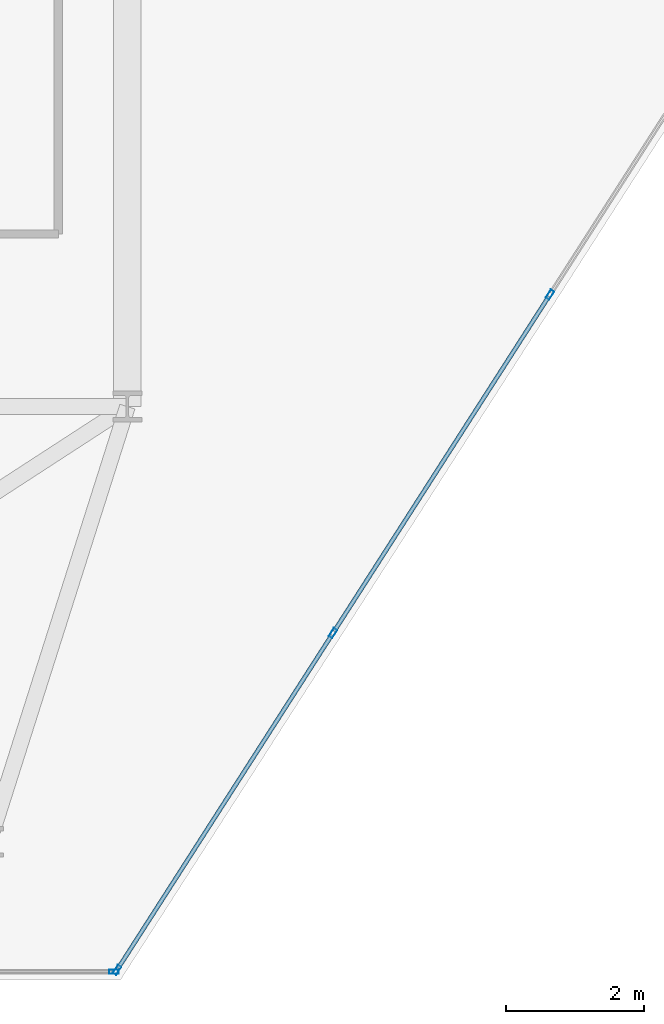
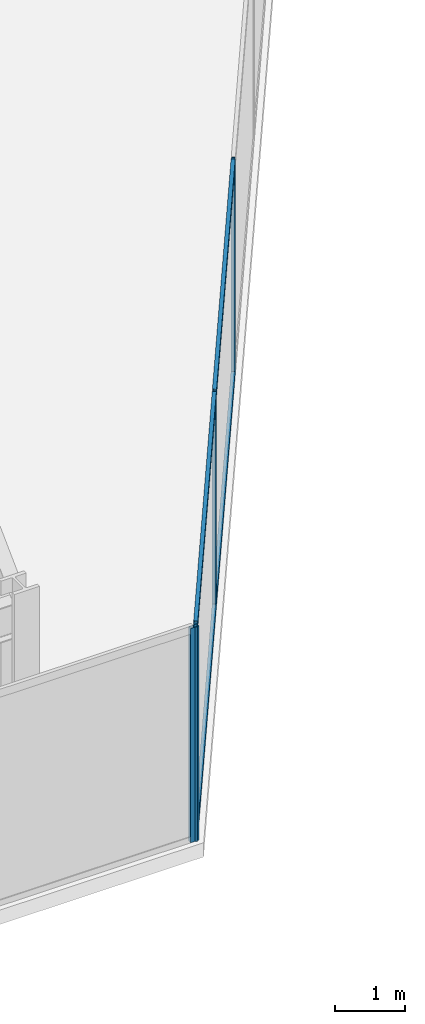
# One storey, part 7 of 26: 8 members, 2 elements without a shape of their own.
"""IFC4 building model written with IfcOpenShell, lengths in metres."""

import ifcopenshell
import ifcopenshell.guid

model = None  # the IFC model being written
_history = None  # IfcOwnerHistory: only IFC2X3 demands one
_inside = {}  # id of a spatial element -> (the spatial element, [elements in it])
_under = {}  # id of a project, library or spatial element -> (it, [spatial elements below it])
_declared = {}  # id of a project -> (the project, [libraries it declares])
_typed = {}  # id of a type object -> (the type object, [elements of that type])
_made_of = {}  # id of a material, layer set ... -> (it, [elements and type objects made of it])


def new_model(schema):
    """Start an empty IFC model of exactly this schema.

    Asked for "IFC4X3", IfcOpenShell would pick the latest addendum, in which some entities
    have other attributes; the version numbers below select the first issue.
    IFC2X3 requires an IfcOwnerHistory on every rooted entity: one is made here for all.
    """
    global model, _history
    if schema == "IFC4X3":
        model = ifcopenshell.file(schema_version=(4, 3, 0, 0))
    else:
        model = ifcopenshell.file(schema=schema)
    _inside.clear()
    _under.clear()
    _declared.clear()
    _typed.clear()
    _made_of.clear()
    _history = None
    if model.schema == "IFC2X3":
        org = make("IfcOrganization", Name="unknown")
        user = make(
            "IfcPersonAndOrganization",
            ThePerson=make("IfcPerson", FamilyName="unknown"),
            TheOrganization=org,
        )
        app = make(
            "IfcApplication",
            ApplicationDeveloper=org,
            Version="unknown",
            ApplicationFullName="unknown",
            ApplicationIdentifier="unknown",
        )
        _history = make(
            "IfcOwnerHistory",
            OwningUser=user,
            OwningApplication=app,
            ChangeAction="ADDED",
            CreationDate=0,
        )
    return model


def make(cls, **values):
    """One entity of the class cls with the attributes given. An attribute that is None is left unset."""
    return model.create_entity(
        cls, **{name: value for name, value in values.items() if value is not None}
    )


def rooted(cls, **values):
    """An entity with a GlobalId (a new one), such as an element, a storey or a relation."""
    return make(cls, GlobalId=ifcopenshell.guid.new(), OwnerHistory=_history, **values)


def si_unit(unit_type, name, prefix=None):
    """IfcSIUnit, for example si_unit("LENGTHUNIT", "METRE", prefix="MILLI")."""
    return make("IfcSIUnit", UnitType=unit_type, Prefix=prefix, Name=name)


def assignment(units):
    """IfcUnitAssignment: the units of a project."""
    return None if units is None else make("IfcUnitAssignment", Units=units)


def point(xyz):
    """IfcCartesianPoint."""
    return None if xyz is None else make("IfcCartesianPoint", Coordinates=xyz)


def direction(xyz):
    """IfcDirection."""
    return None if xyz is None else make("IfcDirection", DirectionRatios=xyz)


def frame(location, z_axis=None, x_axis=None):
    """IfcAxis2Placement3D, a coordinate frame: its origin and axes. An axis left out is left unset."""
    return make(
        "IfcAxis2Placement3D",
        Location=point(location),
        Axis=direction(z_axis),
        RefDirection=direction(x_axis),
    )


def frame_2d(location, x_axis=None):
    """IfcAxis2Placement2D, a coordinate frame in the plane: its origin and x axis."""
    return make(
        "IfcAxis2Placement2D", Location=point(location), RefDirection=direction(x_axis)
    )


def origin():
    """The frame at (0, 0, 0) with its axes left unset."""
    return frame((0.0, 0.0, 0.0))


def origin_2d():
    """The frame at (0, 0) in the plane with its x axis left unset."""
    return frame_2d((0.0, 0.0))


def place(relative_to, where):
    """IfcLocalPlacement: puts the frame where relative to a parent placement (None: the world)."""
    return make(
        "IfcLocalPlacement", PlacementRelTo=relative_to, RelativePlacement=where
    )


def context(
    kind, dimensions, precision=None, world=None, true_north=None, identifier=None
):
    """IfcGeometricRepresentationContext, for example the 3D "Model" context."""
    return make(
        "IfcGeometricRepresentationContext",
        ContextIdentifier=identifier,
        ContextType=kind,
        CoordinateSpaceDimension=dimensions,
        Precision=precision,
        WorldCoordinateSystem=world,
        TrueNorth=true_north,
    )


def subcontext(parent, identifier, kind, view, scale=None):
    """IfcGeometricRepresentationSubContext, for example "Body" below "Model"."""
    return make(
        "IfcGeometricRepresentationSubContext",
        ContextIdentifier=identifier,
        ContextType=kind,
        ParentContext=parent,
        TargetScale=scale,
        TargetView=view,
    )


def project(units=None, contexts=None):
    """IfcProject with its units and contexts."""
    return rooted(
        "IfcProject",
        Name="project",
        RepresentationContexts=contexts,
        UnitsInContext=assignment(units),
    )


def spatial(cls, under=None, at=None, **own):
    """A site, building, storey or space (cls), placed at a placement, below another one or the project."""
    s = rooted(cls, ObjectPlacement=at, **own)
    if under is not None:
        _under.setdefault(under.id(), (under, []))[1].append(s)
    return s


def profile(cls, at=None, kind="AREA", **sizes):
    """A parametric profile (cls). Its sizes go by their IFC names, for example OverallWidth=200.0."""
    return make(cls, ProfileType=kind, Position=at, **sizes)


def hollow_rectangle(**sizes):
    """IfcRectangleHollowProfileDef."""
    return profile("IfcRectangleHollowProfileDef", **sizes)


def extrude(swept, where, along, depth):
    """IfcExtrudedAreaSolid: the profile swept, set in the frame where, extruded along a direction by depth."""
    return make(
        "IfcExtrudedAreaSolid",
        SweptArea=swept,
        Position=where,
        ExtrudedDirection=direction(along),
        Depth=depth,
    )


def shape(context_of_items, identifier, shape_type, items):
    """IfcShapeRepresentation: the items that make up one representation, for example the "Body"."""
    return make(
        "IfcShapeRepresentation",
        ContextOfItems=context_of_items,
        RepresentationIdentifier=identifier,
        RepresentationType=shape_type,
        Items=items,
    )


def material(Name=None, Category=None):
    """IfcMaterial."""
    return make("IfcMaterial", Name=Name, Category=Category)


def layer(
    of_material, thickness, ventilated=None, Name=None, Category=None, Priority=None
):
    """IfcMaterialLayer: one layer of a wall or slab, of a material (None: an air gap)."""
    return make(
        "IfcMaterialLayer",
        Material=of_material,
        LayerThickness=thickness,
        IsVentilated=ventilated,
        Name=Name,
        Category=Category,
        Priority=Priority,
    )


def layer_set(layers, Name=None):
    """IfcMaterialLayerSet."""
    return make("IfcMaterialLayerSet", MaterialLayers=layers, LayerSetName=Name)


def material_profile(
    of_material, cross_section, Name=None, Category=None, Priority=None
):
    """IfcMaterialProfile: a cross section and its material."""
    return make(
        "IfcMaterialProfile",
        Name=Name,
        Material=of_material,
        Profile=cross_section,
        Priority=Priority,
        Category=Category,
    )


def profile_set(profiles, Name=None, composite=None):
    """IfcMaterialProfileSet."""
    return make(
        "IfcMaterialProfileSet",
        Name=Name,
        MaterialProfiles=profiles,
        CompositeProfile=composite,
    )


def made_of(thing, what):
    """Note that an element or type object is made of a material, layer set ...; save() writes the relation."""
    if what is not None:
        _made_of.setdefault(what.id(), (what, []))[1].append(thing)
    return thing


def type_object(cls, material=None, **own):
    """A type object (cls), such as IfcWallType, which elements share."""
    return made_of(rooted(cls, **own), material)


def element(
    cls,
    number,
    at=None,
    inside=None,
    cuts=None,
    type_object=None,
    material=None,
    context=None,
    identifier="Body",
    shape_type=None,
    held_by="IfcProductDefinitionShape",
    body=None,
    shapes=None,
    **own,
):
    """One element of the class cls, such as IfcWall. Its Tag is "e" and its number.

    at: its placement. inside: the storey or other place that contains it. cuts: it is an
    opening in that element (IfcRelVoidsElement). A single representation is given by context,
    identifier, shape_type and body (its items); several are given by shapes. held_by: the class
    of the entity that holds the representations. save() writes the other relations.
    """
    e = rooted(cls, Tag="e%d" % number, ObjectPlacement=at, **own)
    if body is not None:
        shapes = [shape(context, identifier, shape_type, body)]
    if shapes is not None:
        e.Representation = make(held_by, Representations=shapes)
    if inside is not None:
        _inside.setdefault(inside.id(), (inside, []))[1].append(e)
    if cuts is not None:
        rooted(
            "IfcRelVoidsElement", RelatingBuildingElement=cuts, RelatedOpeningElement=e
        )
    if type_object is not None:
        _typed.setdefault(type_object.id(), (type_object, []))[1].append(e)
    return made_of(e, material)


def aggregate(whole, parts):
    """IfcRelAggregates: a whole, such as a stair, and the parts it consists of."""
    return rooted("IfcRelAggregates", RelatingObject=whole, RelatedObjects=parts)


def save(model, path):
    """Write the relations noted so far, then the file.

    IfcRelAggregates (storeys below a building ...), IfcRelContainedInSpatialStructure (elements
    in a storey), IfcRelDefinesByType, IfcRelAssociatesMaterial and IfcRelDeclares: one each for
    every whole, place, type object, material and project.
    """
    for whole, parts in _under.values():
        aggregate(whole, parts)
    for where, things in _inside.values():
        rooted(
            "IfcRelContainedInSpatialStructure",
            RelatedElements=things,
            RelatingStructure=where,
        )
    for kind, things in _typed.values():
        rooted("IfcRelDefinesByType", RelatedObjects=things, RelatingType=kind)
    for what, things in _made_of.values():
        rooted("IfcRelAssociatesMaterial", RelatedObjects=things, RelatingMaterial=what)
    for by, libraries in _declared.values():
        rooted("IfcRelDeclares", RelatingContext=by, RelatedDefinitions=libraries)
    model.write(path)


model = new_model("IFC4")

# Units and contexts
model_context = context("Model", 3, precision=1e-05, world=origin(), true_north=direction((0.0, 1.0)))
body_context = subcontext(model_context, "Body", "Model", "MODEL_VIEW")
ifc_project = project(units=[si_unit("LENGTHUNIT", "METRE"), si_unit("AREAUNIT", "SQUARE_METRE"), si_unit("VOLUMEUNIT", "CUBIC_METRE"), si_unit("PLANEANGLEUNIT", "RADIAN"), si_unit("MASSUNIT", "GRAM", prefix="KILO")], contexts=[model_context])

# Site, building, storey
site_placement = place(None, origin())
site = spatial("IfcSite", under=ifc_project, at=site_placement, CompositionType="ELEMENT")
building_placement = place(site_placement, origin())
building = spatial("IfcBuilding", under=site, at=building_placement, Name="Kravanh Interchange Tower", CompositionType="ELEMENT")
storey_placement = place(building_placement, frame((0.0, 0.0, 140.0)))
storey = spatial("IfcBuildingStorey", under=building, at=storey_placement, Name="L33", CompositionType="ELEMENT", Elevation=140.0)

# Curtain wall, members
ifc_material_1 = material(Name="Anodised Bronze Aluminium", Category="aluminium")
ifc_layer = layer(ifc_material_1, 0.179931640625)
ifc_layer_set = layer_set([ifc_layer], Name="Unitised Curtain Wall System CW-Z2 Mid Office")
curtain_wall_type = type_object("IfcCurtainWallType", Name="Unitised Curtain Wall System CW-Z2 Mid Office", PredefinedType="NOTDEFINED", material=ifc_layer_set)
curtain_wall_1_placement = place(storey_placement, origin())
curtain_wall_1 = element("IfcCurtainWall", 1, at=curtain_wall_1_placement, inside=storey, type_object=curtain_wall_type, Name="L33 Unitised Curtain Wall CW-L33-05", PredefinedType="NOTDEFINED")
ifc_material_2 = material(Name="Anodised Bronze Aluminium", Category="aluminium")
ifc_material_profile_1 = material_profile(ifc_material_2, hollow_rectangle(XDim=0.06005859375, YDim=0.139892578125, WallThickness=0.00390625, at=origin_2d()), Name="ALU60X140X4")
ifc_profile_set_1 = profile_set([ifc_material_profile_1], Name="Anodised Bronze Aluminium")
member_type_1 = type_object("IfcMemberType", Name="Curtain Wall Mullion ALU60X140X4 Bronze", PredefinedType="MULLION", material=ifc_profile_set_1)
member_1_placement = place(storey_placement, frame((33.317138671875, 16.12109375, 0.0), z_axis=(0.0, 0.0, 1.0), x_axis=(0.841879939476, -0.539664865919, 0.0)))
member_1 = element("IfcMember", 2, at=member_1_placement, type_object=member_type_1, Name="CW-Z2 mullion 3", PredefinedType="MULLION", context=body_context, shape_type="SweptSolid", body=[
    extrude(hollow_rectangle(XDim=0.06005859375, YDim=0.139892578125, WallThickness=0.00390625, at=origin_2d()), origin(), (0.0, 0.0, 1.0), 3.75),
])
member_2_placement = place(storey_placement, frame((30.17578125, 11.220703125, 0.0), z_axis=(0.0, 0.0, 1.0), x_axis=(0.841879939476, -0.539664865919, 0.0)))
member_2 = element("IfcMember", 3, at=member_2_placement, type_object=member_type_1, Name="CW-Z2 mullion 4", PredefinedType="MULLION", context=body_context, shape_type="SweptSolid", body=[
    extrude(hollow_rectangle(XDim=0.06005859375, YDim=0.139892578125, WallThickness=0.00390625, at=origin_2d()), origin(), (0.0, 0.0, 1.0), 3.75),
])
member_3_placement = place(storey_placement, frame((27.050537109375, 6.34521484375, 0.0), z_axis=(0.0, 0.0, 1.0), x_axis=(0.841879939476, -0.539664865919, 0.0)))
member_3 = element("IfcMember", 4, at=member_3_placement, type_object=member_type_1, Name="CW-Z2 mullion 5", PredefinedType="MULLION", context=body_context, shape_type="SweptSolid", body=[
    extrude(hollow_rectangle(XDim=0.06005859375, YDim=0.139892578125, WallThickness=0.00390625, at=origin_2d()), origin(), (0.0, 0.0, 1.0), 3.75),
])

# Curtain wall, member
curtain_wall_2_placement = place(storey_placement, origin())
curtain_wall_2 = element("IfcCurtainWall", 5, at=curtain_wall_2_placement, inside=storey, type_object=curtain_wall_type, Name="L33 Unitised Curtain Wall CW-L33-06", PredefinedType="NOTDEFINED")
member_4_placement = place(storey_placement, frame((27.00439453125, 6.320068359375, 0.0), z_axis=(0.0, 0.0, 1.0), x_axis=(0.0, -1.0, 0.0)))
member_4 = element("IfcMember", 6, at=member_4_placement, type_object=member_type_1, Name="CW-Z2 mullion 1", PredefinedType="MULLION", context=body_context, shape_type="SweptSolid", body=[
    extrude(hollow_rectangle(XDim=0.06005859375, YDim=0.139892578125, WallThickness=0.00390625, at=origin_2d()), origin(), (0.0, 0.0, 1.0), 3.75),
])
aggregate(curtain_wall_2, [member_4])

# Member
ifc_material_3 = material(Name="Anodised Bronze Aluminium", Category="aluminium")
ifc_material_profile_2 = material_profile(ifc_material_3, hollow_rectangle(XDim=0.06005859375, YDim=0.139892578125, WallThickness=0.00390625, at=origin_2d()), Name="ALU60X140X4")
ifc_profile_set_2 = profile_set([ifc_material_profile_2], Name="Anodised Bronze Aluminium")
member_type_2 = type_object("IfcMemberType", Name="Curtain Wall Transom ALU60X140X4 Bronze", PredefinedType="USERDEFINED", material=ifc_profile_set_2)
member_5_placement = place(storey_placement, frame((33.301025390625, 16.095947265625, 0.030029296875), z_axis=(-0.539677666788, -0.84187173368, 0.0), x_axis=(0.84187173368, -0.539677666788, 0.0)))
member_5 = element("IfcMember", 7, at=member_5_placement, type_object=member_type_2, Name="CW-Z2 transom 3.1", ObjectType="TRANSOM", PredefinedType="USERDEFINED", context=body_context, shape_type="SweptSolid", body=[
    extrude(hollow_rectangle(XDim=0.06005859375, YDim=0.139892578125, WallThickness=0.00390625, at=origin_2d()), origin(), (0.0, 0.0, 1.0), 5.760986328125),
])

member_6_placement = place(storey_placement, frame((33.301025390625, 16.095947265625, 3.719970703125), z_axis=(-0.539677666788, -0.84187173368, 0.0), x_axis=(0.84187173368, -0.539677666788, 0.0)))
member_6 = element("IfcMember", 8, at=member_6_placement, type_object=member_type_2, Name="CW-Z2 transom 3.2", ObjectType="TRANSOM", PredefinedType="USERDEFINED", context=body_context, shape_type="SweptSolid", body=[
    extrude(hollow_rectangle(XDim=0.06005859375, YDim=0.139892578125, WallThickness=0.00390625, at=origin_2d()), origin(), (0.0, 0.0, 1.0), 5.760986328125),
])

member_7_placement = place(storey_placement, frame((30.15966796875, 11.1953125, 0.030029296875), z_axis=(-0.53966766312, -0.841878146398, 0.0), x_axis=(0.841878146398, -0.53966766312, 0.0)))
member_7 = element("IfcMember", 9, at=member_7_placement, type_object=member_type_2, Name="CW-Z2 transom 4.1", ObjectType="TRANSOM", PredefinedType="USERDEFINED", context=body_context, shape_type="SweptSolid", body=[
    extrude(hollow_rectangle(XDim=0.06005859375, YDim=0.139892578125, WallThickness=0.00390625, at=origin_2d()), origin(), (0.0, 0.0, 1.0), 5.73095703125),
])

member_8_placement = place(storey_placement, frame((30.15966796875, 11.1953125, 3.719970703125), z_axis=(-0.53966766312, -0.841878146398, 0.0), x_axis=(0.841878146398, -0.53966766312, 0.0)))
member_8 = element("IfcMember", 10, at=member_8_placement, type_object=member_type_2, Name="CW-Z2 transom 4.2", ObjectType="TRANSOM", PredefinedType="USERDEFINED", context=body_context, shape_type="SweptSolid", body=[
    extrude(hollow_rectangle(XDim=0.06005859375, YDim=0.139892578125, WallThickness=0.00390625, at=origin_2d()), origin(), (0.0, 0.0, 1.0), 5.73095703125),
])

aggregate(curtain_wall_1, [member_1, member_2, member_3, member_5, member_6, member_7, member_8])

save(model, "model.ifc")
